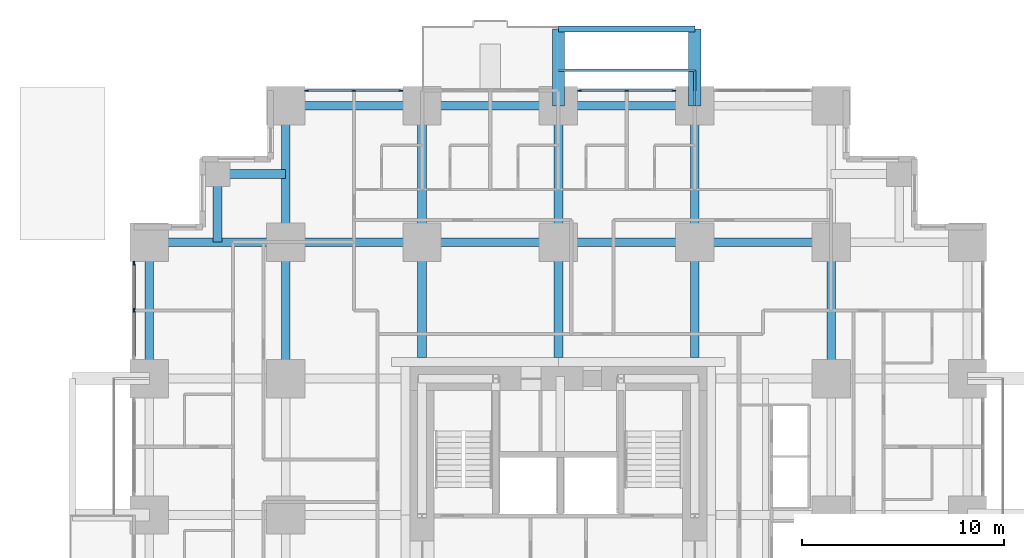
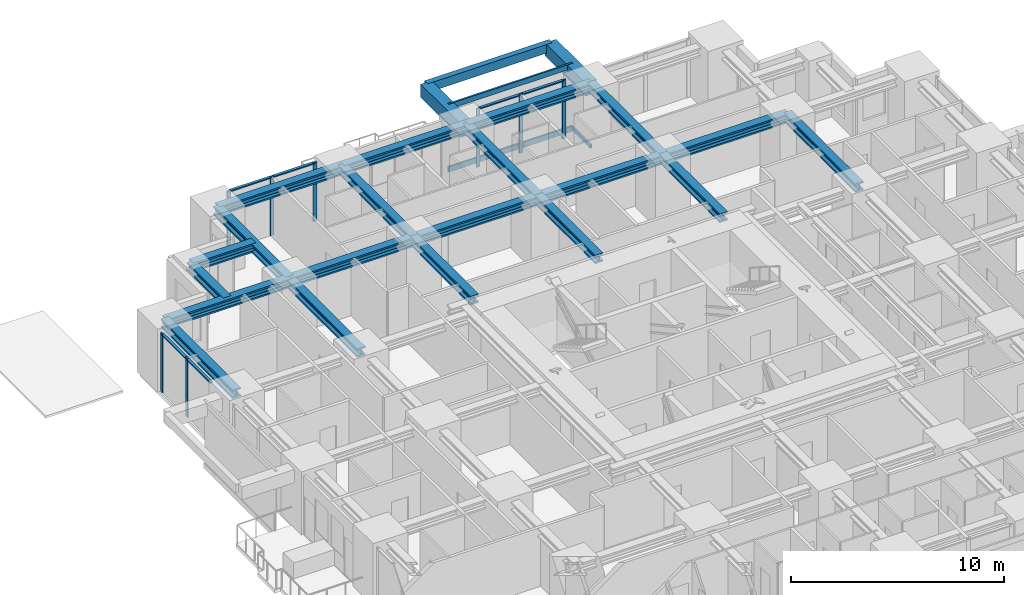
# One storey, part 5 of 14: 23 beams, 17 members, 3 elements without a shape of their own.
"""IFC4 building model written with IfcOpenShell, lengths in metres."""

from ifc_helpers import new_model, si_unit, direction, frame, origin, origin_2d, place, context, subcontext, project, spatial, rectangle, hollow_rectangle, i_section, extrude, material, material_profile, profile_set, type_object, element, aggregate, save


model = new_model("IFC4")

# Units and contexts
model_context = context("Model", 3, precision=1e-05, world=origin(), true_north=direction((0.0, 1.0)))
body_context = subcontext(model_context, "Body", "Model", "MODEL_VIEW")
ifc_project = project(units=[si_unit("LENGTHUNIT", "METRE"), si_unit("AREAUNIT", "SQUARE_METRE"), si_unit("VOLUMEUNIT", "CUBIC_METRE"), si_unit("PLANEANGLEUNIT", "RADIAN"), si_unit("MASSUNIT", "GRAM", prefix="KILO")], contexts=[model_context])

# Site, building, storey
site_placement = place(None, origin())
site = spatial("IfcSite", under=ifc_project, at=site_placement, CompositionType="ELEMENT")
building_placement = place(site_placement, origin())
building = spatial("IfcBuilding", under=site, at=building_placement, Name="Nyansa Garden Tower", CompositionType="ELEMENT")
storey_placement = place(building_placement, frame((0.0, 0.0, 18.0)))
storey = spatial("IfcBuildingStorey", under=building, at=storey_placement, Name="L04", CompositionType="ELEMENT", Elevation=18.0)

# Beams
ifc_material_1 = material(Name="Concrete C70/85", Category="concrete")
ifc_material_profile_1 = material_profile(ifc_material_1, rectangle(XDim=0.60009765625, YDim=0.75, at=origin_2d()), Name="RC 600x750")
ifc_profile_set_1 = profile_set([ifc_material_profile_1], Name="Concrete C70/85")
beam_type_1 = type_object("IfcBeamType", Name="Balcony cantilever beam CB1 RC 600x750", PredefinedType="BEAM", material=ifc_profile_set_1)
for number, where, z_axis, x_axis, name in (
    (1, (20.25, 40.5, 2.985107421875), (0.0, 1.0, 0.0), (-1.0, 0.0, 0.0), "Balcony cantilever beam L05"),
    (2, (27.0, 40.5, 2.985107421875), (0.0, 1.0, 0.0), (-1.0, 0.0, 0.0), "Balcony cantilever beam L05"),
):
    element("IfcBeam", number, at=place(storey_placement, frame(where, z_axis=z_axis, x_axis=x_axis)), inside=storey, type_object=beam_type_1, Name=name, PredefinedType="BEAM", context=body_context, shape_type="SweptSolid", body=[
        extrude(rectangle(XDim=0.60009765625, YDim=0.75, at=origin_2d()), origin(), (0.0, 0.0, 1.0), 3.800048828125),
    ])
ifc_material_2 = material(Name="Concrete C70/85", Category="concrete")
ifc_material_profile_2 = material_profile(ifc_material_2, rectangle(XDim=0.300048828125, YDim=0.5, at=origin_2d()), Name="RC 300x500")
ifc_profile_set_2 = profile_set([ifc_material_profile_2], Name="Concrete C70/85")
beam_type_2 = type_object("IfcBeamType", Name="Balcony edge beam BE1 RC 300x500", PredefinedType="BEAM", material=ifc_profile_set_2)
beam_1_placement = place(storey_placement, frame((20.25, 44.300048828125, 3.110107421875), z_axis=(1.0, 0.0, 0.0), x_axis=(0.0, 1.0, 0.0)))
element("IfcBeam", 3, at=beam_1_placement, inside=storey, type_object=beam_type_2, Name="Balcony edge beam L05", PredefinedType="BEAM", context=body_context, shape_type="SweptSolid", body=[
    extrude(rectangle(XDim=0.300048828125, YDim=0.5, at=origin_2d()), origin(), (0.0, 0.0, 1.0), 6.75),
])

# Curtain wall, members
ifc_material_3 = material(Name="Black anodised aluminium, dark tinted double glazing", Category="aluminium")
curtain_wall_type = type_object("IfcCurtainWallType", Name="Inner skin curtain wall ISW-A", PredefinedType="USERDEFINED", material=ifc_material_3)
curtain_wall_1_placement = place(storey_placement, origin())
curtain_wall_1 = element("IfcCurtainWall", 4, at=curtain_wall_1_placement, inside=storey, type_object=curtain_wall_type, Name="Inner skin curtain wall L04 N", ObjectType="UNITISED CURTAIN WALL", PredefinedType="USERDEFINED")
ifc_material_4 = material(Name="Black anodised aluminium", Category="aluminium")
ifc_material_profile_3 = material_profile(ifc_material_4, rectangle(XDim=0.06494140625, YDim=0.199951171875, at=origin_2d()), Name="Mullion 200x65")
ifc_profile_set_3 = profile_set([ifc_material_profile_3], Name="Black anodised aluminium")
member_type_1 = type_object("IfcMemberType", Name="Mullion ISW-A 200x65", PredefinedType="MULLION", material=ifc_profile_set_3)
member_1_placement = place(storey_placement, frame((12.449951171875, 41.25, 0.0), z_axis=(0.0, 0.0, 1.0), x_axis=(0.0, -1.0, 0.0)))
member_1 = element("IfcMember", 5, at=member_1_placement, type_object=member_type_1, Name="ISW-A mullion 1", PredefinedType="MULLION", context=body_context, shape_type="SweptSolid", body=[
    extrude(rectangle(XDim=0.06494140625, YDim=0.199951171875, at=origin_2d()), origin(), (0.0, 0.0, 1.0), 3.375),
])
member_2_placement = place(storey_placement, frame((10.125, 41.25, 0.0), z_axis=(0.0, 0.0, 1.0), x_axis=(0.0, -1.0, 0.0)))
member_2 = element("IfcMember", 6, at=member_2_placement, type_object=member_type_1, Name="ISW-A mullion 2", PredefinedType="MULLION", context=body_context, shape_type="SweptSolid", body=[
    extrude(rectangle(XDim=0.06494140625, YDim=0.199951171875, at=origin_2d()), origin(), (0.0, 0.0, 1.0), 3.375),
])
member_3_placement = place(storey_placement, frame((7.800048828125, 41.25, 0.0), z_axis=(0.0, 0.0, 1.0), x_axis=(0.0, -1.0, 0.0)))
member_3 = element("IfcMember", 7, at=member_3_placement, type_object=member_type_1, Name="ISW-A mullion 3", PredefinedType="MULLION", context=body_context, shape_type="SweptSolid", body=[
    extrude(rectangle(XDim=0.06494140625, YDim=0.199951171875, at=origin_2d()), origin(), (0.0, 0.0, 1.0), 3.375),
])

curtain_wall_2_placement = place(storey_placement, origin())
curtain_wall_2 = element("IfcCurtainWall", 8, at=curtain_wall_2_placement, inside=storey, type_object=curtain_wall_type, Name="Inner skin curtain wall L04 N", ObjectType="UNITISED CURTAIN WALL", PredefinedType="USERDEFINED")
member_4_placement = place(storey_placement, frame((25.949951171875, 41.25, 0.0), z_axis=(0.0, 0.0, 1.0), x_axis=(0.0, -1.0, 0.0)))
member_4 = element("IfcMember", 9, at=member_4_placement, type_object=member_type_1, Name="ISW-A mullion 1", PredefinedType="MULLION", context=body_context, shape_type="SweptSolid", body=[
    extrude(rectangle(XDim=0.06494140625, YDim=0.199951171875, at=origin_2d()), origin(), (0.0, 0.0, 1.0), 3.375),
])
member_5_placement = place(storey_placement, frame((23.625, 41.25, 0.0), z_axis=(0.0, 0.0, 1.0), x_axis=(0.0, -1.0, 0.0)))
member_5 = element("IfcMember", 10, at=member_5_placement, type_object=member_type_1, Name="ISW-A mullion 2", PredefinedType="MULLION", context=body_context, shape_type="SweptSolid", body=[
    extrude(rectangle(XDim=0.06494140625, YDim=0.199951171875, at=origin_2d()), origin(), (0.0, 0.0, 1.0), 3.375),
])
member_6_placement = place(storey_placement, frame((21.300048828125, 41.25, 0.0), z_axis=(0.0, 0.0, 1.0), x_axis=(0.0, -1.0, 0.0)))
member_6 = element("IfcMember", 11, at=member_6_placement, type_object=member_type_1, Name="ISW-A mullion 3", PredefinedType="MULLION", context=body_context, shape_type="SweptSolid", body=[
    extrude(rectangle(XDim=0.06494140625, YDim=0.199951171875, at=origin_2d()), origin(), (0.0, 0.0, 1.0), 3.375),
])

curtain_wall_3_placement = place(storey_placement, origin())
curtain_wall_3 = element("IfcCurtainWall", 12, at=curtain_wall_3_placement, inside=storey, type_object=curtain_wall_type, Name="Inner skin curtain wall L04 W", ObjectType="UNITISED CURTAIN WALL", PredefinedType="USERDEFINED")
member_7_placement = place(storey_placement, frame((-0.75, 32.699951171875, 0.0), z_axis=(0.0, 0.0, 1.0), x_axis=(1.0, 0.0, 0.0)))
member_7 = element("IfcMember", 13, at=member_7_placement, type_object=member_type_1, Name="ISW-A mullion 1", PredefinedType="MULLION", context=body_context, shape_type="SweptSolid", body=[
    extrude(rectangle(XDim=0.06494140625, YDim=0.199951171875, at=origin_2d()), origin(), (0.0, 0.0, 1.0), 3.375),
])
member_8_placement = place(storey_placement, frame((-0.75, 30.375, 0.0), z_axis=(0.0, 0.0, 1.0), x_axis=(1.0, 0.0, 0.0)))
member_8 = element("IfcMember", 14, at=member_8_placement, type_object=member_type_1, Name="ISW-A mullion 2", PredefinedType="MULLION", context=body_context, shape_type="SweptSolid", body=[
    extrude(rectangle(XDim=0.06494140625, YDim=0.199951171875, at=origin_2d()), origin(), (0.0, 0.0, 1.0), 3.375),
])

# Members
ifc_material_5 = material(Name="Steel S355, black powder coated", Category="steel")
ifc_material_profile_4 = material_profile(ifc_material_5, hollow_rectangle(XDim=0.10009765625, YDim=0.199951171875, WallThickness=0.008056640625, at=origin_2d()), Name="RHS 200x100x8")
ifc_profile_set_4 = profile_set([ifc_material_profile_4], Name="Steel S355, black powder coated")
member_type_2 = type_object("IfcMemberType", Name="Outer skin bracket arm RHS 200x100x8", PredefinedType="USERDEFINED", material=ifc_profile_set_4)
member_9_placement = place(storey_placement, frame((27.0, 40.5, -0.375), z_axis=(0.0, 1.0, 0.0), x_axis=(-1.0, 0.0, 0.0)))
element("IfcMember", 15, at=member_9_placement, inside=storey, type_object=member_type_2, Name="Outer skin bracket arm", ObjectType="OUTER SKIN BRACKET", PredefinedType="USERDEFINED", context=body_context, shape_type="SweptSolid", body=[
    extrude(hollow_rectangle(XDim=0.10009765625, YDim=0.199951171875, WallThickness=0.008056640625, at=origin_2d()), origin(), (0.0, 0.0, 1.0), 1.75),
])
ifc_material_6 = material(Name="Steel S355, black powder coated", Category="steel")
ifc_material_profile_5 = material_profile(ifc_material_6, hollow_rectangle(XDim=0.10009765625, YDim=0.300048828125, WallThickness=0.010009765625, at=origin_2d()), Name="RHS 300x100x10")
ifc_profile_set_5 = profile_set([ifc_material_profile_5], Name="Steel S355, black powder coated")
member_type_3 = type_object("IfcMemberType", Name="Outer skin rail RHS 300x100x10", PredefinedType="USERDEFINED", material=ifc_profile_set_5)
for number, where, z_axis, x_axis, name in (
    (16, (20.25, 42.25, -0.375), (1.0, 0.0, 0.0), (0.0, 1.0, 0.0), "Outer skin rail L04"),
    (17, (20.25, 42.25, 3.22509765625), (1.0, 0.0, 0.0), (0.0, 1.0, 0.0), "Outer skin rail L04 head"),
):
    element("IfcMember", number, at=place(storey_placement, frame(where, z_axis=z_axis, x_axis=x_axis)), inside=storey, type_object=member_type_3, Name=name, ObjectType="OUTER SKIN RAIL", PredefinedType="USERDEFINED", context=body_context, shape_type="SweptSolid", body=[
        extrude(hollow_rectangle(XDim=0.10009765625, YDim=0.300048828125, WallThickness=0.010009765625, at=origin_2d()), origin(), (0.0, 0.0, 1.0), 6.75),
    ])

# Beams
ifc_material_7 = material(Name="Steel S355", Category="steel")
ifc_material_profile_6 = material_profile(ifc_material_7, i_section(OverallWidth=0.431884765625, OverallDepth=0.498046875, WebThickness=0.0556640625, FlangeThickness=0.0888671875, FilletRadius=0.014892578125, at=origin_2d()), Name="HD 400x744")
ifc_profile_set_6 = profile_set([ifc_material_profile_6], Name="Steel S355")
beam_type_3 = type_object("IfcBeamType", Name="Steel beam SBA1-744 HD 400x744", PredefinedType="BEAM", material=ifc_profile_set_6)
for number, where, z_axis, x_axis, name in (
    (18, (0.0, 33.75, 3.1259765625), (1.0, 0.0, 0.0), (0.0, 1.0, 0.0), "Steel beam 2/J-3/J L05"),
    (19, (6.75, 27.0, 3.1259765625), (0.0, 1.0, 0.0), (-1.0, 0.0, 0.0), "Steel beam 3/H-3/J L05"),
    (20, (6.75, 33.75, 3.1259765625), (0.0, 1.0, 0.0), (-1.0, 0.0, 0.0), "Steel beam 3/J-3/K L05"),
    (21, (6.75, 33.75, 3.1259765625), (1.0, 0.0, 0.0), (0.0, 1.0, 0.0), "Steel beam 3/J-4/J L05"),
):
    element("IfcBeam", number, at=place(storey_placement, frame(where, z_axis=z_axis, x_axis=x_axis)), inside=storey, type_object=beam_type_3, Name=name, PredefinedType="BEAM", context=body_context, shape_type="SweptSolid", body=[
        extrude(i_section(OverallWidth=0.431884765625, OverallDepth=0.498046875, WebThickness=0.0556640625, FlangeThickness=0.0888671875, FilletRadius=0.014892578125, at=origin_2d()), origin(), (0.0, 0.0, 1.0), 6.75),
    ])
beam_2_placement = place(storey_placement, frame((13.5, 28.050048828125, 3.1259765625), z_axis=(0.0, 1.0, 0.0), x_axis=(-1.0, 0.0, 0.0)))
element("IfcBeam", 22, at=beam_2_placement, inside=storey, type_object=beam_type_3, Name="Steel beam 4/28.050-4/J L05", PredefinedType="BEAM", context=body_context, shape_type="SweptSolid", body=[
    extrude(i_section(OverallWidth=0.431884765625, OverallDepth=0.498046875, WebThickness=0.0556640625, FlangeThickness=0.0888671875, FilletRadius=0.014892578125, at=origin_2d()), origin(), (0.0, 0.0, 1.0), 5.699951171875),
])
for number, where, z_axis, x_axis, name in (
    (23, (13.5, 33.75, 3.1259765625), (0.0, 1.0, 0.0), (-1.0, 0.0, 0.0), "Steel beam 4/J-4/K L05"),
    (24, (13.5, 33.75, 3.1259765625), (1.0, 0.0, 0.0), (0.0, 1.0, 0.0), "Steel beam 4/J-5/J L05"),
):
    element("IfcBeam", number, at=place(storey_placement, frame(where, z_axis=z_axis, x_axis=x_axis)), inside=storey, type_object=beam_type_3, Name=name, PredefinedType="BEAM", context=body_context, shape_type="SweptSolid", body=[
        extrude(i_section(OverallWidth=0.431884765625, OverallDepth=0.498046875, WebThickness=0.0556640625, FlangeThickness=0.0888671875, FilletRadius=0.014892578125, at=origin_2d()), origin(), (0.0, 0.0, 1.0), 6.75),
    ])
beam_3_placement = place(storey_placement, frame((20.25, 28.050048828125, 3.1259765625), z_axis=(0.0, 1.0, 0.0), x_axis=(-1.0, 0.0, 0.0)))
element("IfcBeam", 25, at=beam_3_placement, inside=storey, type_object=beam_type_3, Name="Steel beam 5/28.050-5/J L05", PredefinedType="BEAM", context=body_context, shape_type="SweptSolid", body=[
    extrude(i_section(OverallWidth=0.431884765625, OverallDepth=0.498046875, WebThickness=0.0556640625, FlangeThickness=0.0888671875, FilletRadius=0.014892578125, at=origin_2d()), origin(), (0.0, 0.0, 1.0), 5.699951171875),
])
for number, where, z_axis, x_axis, name in (
    (26, (20.25, 33.75, 3.1259765625), (0.0, 1.0, 0.0), (-1.0, 0.0, 0.0), "Steel beam 5/J-5/K L05"),
    (27, (20.25, 33.75, 3.1259765625), (1.0, 0.0, 0.0), (0.0, 1.0, 0.0), "Steel beam 5/J-6/J L05"),
):
    element("IfcBeam", number, at=place(storey_placement, frame(where, z_axis=z_axis, x_axis=x_axis)), inside=storey, type_object=beam_type_3, Name=name, PredefinedType="BEAM", context=body_context, shape_type="SweptSolid", body=[
        extrude(i_section(OverallWidth=0.431884765625, OverallDepth=0.498046875, WebThickness=0.0556640625, FlangeThickness=0.0888671875, FilletRadius=0.014892578125, at=origin_2d()), origin(), (0.0, 0.0, 1.0), 6.75),
    ])
beam_4_placement = place(storey_placement, frame((27.0, 28.050048828125, 3.1259765625), z_axis=(0.0, 1.0, 0.0), x_axis=(-1.0, 0.0, 0.0)))
element("IfcBeam", 28, at=beam_4_placement, inside=storey, type_object=beam_type_3, Name="Steel beam 6/28.050-6/J L05", PredefinedType="BEAM", context=body_context, shape_type="SweptSolid", body=[
    extrude(i_section(OverallWidth=0.431884765625, OverallDepth=0.498046875, WebThickness=0.0556640625, FlangeThickness=0.0888671875, FilletRadius=0.014892578125, at=origin_2d()), origin(), (0.0, 0.0, 1.0), 5.699951171875),
])
for number, where, z_axis, x_axis, name in (
    (29, (27.0, 33.75, 3.1259765625), (0.0, 1.0, 0.0), (-1.0, 0.0, 0.0), "Steel beam 6/J-6/K L05"),
    (30, (27.0, 33.75, 3.1259765625), (1.0, 0.0, 0.0), (0.0, 1.0, 0.0), "Steel beam 6/J-7/J L05"),
    (31, (33.75, 27.0, 3.1259765625), (0.0, 1.0, 0.0), (-1.0, 0.0, 0.0), "Steel beam 7/H-7/J L05"),
):
    element("IfcBeam", number, at=place(storey_placement, frame(where, z_axis=z_axis, x_axis=x_axis)), inside=storey, type_object=beam_type_3, Name=name, PredefinedType="BEAM", context=body_context, shape_type="SweptSolid", body=[
        extrude(i_section(OverallWidth=0.431884765625, OverallDepth=0.498046875, WebThickness=0.0556640625, FlangeThickness=0.0888671875, FilletRadius=0.014892578125, at=origin_2d()), origin(), (0.0, 0.0, 1.0), 6.75),
    ])
ifc_material_8 = material(Name="Steel S355", Category="steel")
ifc_material_profile_7 = material_profile(ifc_material_8, i_section(OverallWidth=0.431884765625, OverallDepth=0.498046875, WebThickness=0.0556640625, FlangeThickness=0.0888671875, FilletRadius=0.014892578125, at=origin_2d()), Name="HD 400x744")
ifc_profile_set_7 = profile_set([ifc_material_profile_7], Name="Steel S355")
beam_type_4 = type_object("IfcBeamType", Name="Steel beam SEBA-744 HD 400x744", PredefinedType="BEAM", material=ifc_profile_set_7)
for number, where, z_axis, x_axis, name in (
    (32, (0.0, 27.0, 3.1259765625), (0.0, 1.0, 0.0), (-1.0, 0.0, 0.0), "Steel edge beam 2/H-2/J L05"),
    (33, (6.75, 40.5, 3.1259765625), (1.0, 0.0, 0.0), (0.0, 1.0, 0.0), "Steel edge beam 3/K-4/K L05"),
    (34, (13.5, 40.5, 3.1259765625), (1.0, 0.0, 0.0), (0.0, 1.0, 0.0), "Steel edge beam 4/K-5/K L05"),
    (35, (20.25, 40.5, 3.1259765625), (1.0, 0.0, 0.0), (0.0, 1.0, 0.0), "Steel edge beam 5/K-6/K L05"),
):
    element("IfcBeam", number, at=place(storey_placement, frame(where, z_axis=z_axis, x_axis=x_axis)), inside=storey, type_object=beam_type_4, Name=name, PredefinedType="BEAM", context=body_context, shape_type="SweptSolid", body=[
        extrude(i_section(OverallWidth=0.431884765625, OverallDepth=0.498046875, WebThickness=0.0556640625, FlangeThickness=0.0888671875, FilletRadius=0.014892578125, at=origin_2d()), origin(), (0.0, 0.0, 1.0), 6.75),
    ])
ifc_material_9 = material(Name="Steel S355", Category="steel")
ifc_material_profile_8 = material_profile(ifc_material_9, i_section(OverallWidth=0.431884765625, OverallDepth=0.498046875, WebThickness=0.0556640625, FlangeThickness=0.0888671875, FilletRadius=0.014892578125, at=origin_2d()), Name="HD 400x744")
ifc_profile_set_8 = profile_set([ifc_material_profile_8], Name="Steel S355")
beam_type_5 = type_object("IfcBeamType", Name="Steel beam SSB1-744 HD 400x744", PredefinedType="BEAM", material=ifc_profile_set_8)
for number, where, z_axis, x_axis, name in (
    (36, (3.375, 37.125, 3.1259765625), (0.0, -1.0, 0.0), (1.0, 0.0, 0.0), "Steel step beam 3.375/37.125 L05"),
    (37, (3.375, 37.125, 3.1259765625), (1.0, 0.0, 0.0), (0.0, 1.0, 0.0), "Steel step beam 3.375/37.125 L05"),
):
    element("IfcBeam", number, at=place(storey_placement, frame(where, z_axis=z_axis, x_axis=x_axis)), inside=storey, type_object=beam_type_5, Name=name, PredefinedType="BEAM", context=body_context, shape_type="SweptSolid", body=[
        extrude(i_section(OverallWidth=0.431884765625, OverallDepth=0.498046875, WebThickness=0.0556640625, FlangeThickness=0.0888671875, FilletRadius=0.014892578125, at=origin_2d()), origin(), (0.0, 0.0, 1.0), 3.375),
    ])

# Member
ifc_material_10 = material(Name="Black anodised aluminium", Category="aluminium")
ifc_material_profile_9 = material_profile(ifc_material_10, rectangle(XDim=0.14990234375, YDim=0.06494140625, at=origin_2d()), Name="Transom 150x65")
ifc_profile_set_9 = profile_set([ifc_material_profile_9], Name="Black anodised aluminium")
member_type_4 = type_object("IfcMemberType", Name="Transom ISW-A 150x65", PredefinedType="USERDEFINED", material=ifc_profile_set_9)
member_10_placement = place(storey_placement, frame((12.41748046875, 41.25, 3.342529296875), z_axis=(-1.0, 0.0, 0.0), x_axis=(0.0, -1.0, 0.0)))
member_10 = element("IfcMember", 38, at=member_10_placement, type_object=member_type_4, Name="ISW-A transom 1", ObjectType="TRANSOM", PredefinedType="USERDEFINED", context=body_context, shape_type="SweptSolid", body=[
    extrude(rectangle(XDim=0.14990234375, YDim=0.06494140625, at=origin_2d()), origin(), (0.0, 0.0, 1.0), 2.260009765625),
])

member_11_placement = place(storey_placement, frame((10.092529296875, 41.25, 3.342529296875), z_axis=(-1.0, 0.0, 0.0), x_axis=(0.0, -1.0, 0.0)))
member_11 = element("IfcMember", 39, at=member_11_placement, type_object=member_type_4, Name="ISW-A transom 2", ObjectType="TRANSOM", PredefinedType="USERDEFINED", context=body_context, shape_type="SweptSolid", body=[
    extrude(rectangle(XDim=0.14990234375, YDim=0.06494140625, at=origin_2d()), origin(), (0.0, 0.0, 1.0), 2.260009765625),
])

aggregate(curtain_wall_1, [member_1, member_2, member_3, member_10, member_11])

member_12_placement = place(storey_placement, frame((25.91748046875, 41.25, 3.342529296875), z_axis=(-1.0, 0.0, 0.0), x_axis=(0.0, -1.0, 0.0)))
member_12 = element("IfcMember", 40, at=member_12_placement, type_object=member_type_4, Name="ISW-A transom 1", ObjectType="TRANSOM", PredefinedType="USERDEFINED", context=body_context, shape_type="SweptSolid", body=[
    extrude(rectangle(XDim=0.14990234375, YDim=0.06494140625, at=origin_2d()), origin(), (0.0, 0.0, 1.0), 2.260009765625),
])

member_13_placement = place(storey_placement, frame((23.592529296875, 41.25, 3.342529296875), z_axis=(-1.0, 0.0, 0.0), x_axis=(0.0, -1.0, 0.0)))
member_13 = element("IfcMember", 41, at=member_13_placement, type_object=member_type_4, Name="ISW-A transom 2", ObjectType="TRANSOM", PredefinedType="USERDEFINED", context=body_context, shape_type="SweptSolid", body=[
    extrude(rectangle(XDim=0.14990234375, YDim=0.06494140625, at=origin_2d()), origin(), (0.0, 0.0, 1.0), 2.260009765625),
])

aggregate(curtain_wall_2, [member_4, member_5, member_6, member_12, member_13])

member_14_placement = place(storey_placement, frame((-0.75, 32.66748046875, 3.342529296875), z_axis=(0.0, -1.0, 0.0), x_axis=(1.0, 0.0, 0.0)))
member_14 = element("IfcMember", 42, at=member_14_placement, type_object=member_type_4, Name="ISW-A transom 1", ObjectType="TRANSOM", PredefinedType="USERDEFINED", context=body_context, shape_type="SweptSolid", body=[
    extrude(rectangle(XDim=0.14990234375, YDim=0.06494140625, at=origin_2d()), origin(), (0.0, 0.0, 1.0), 2.260009765625),
])

member_15_placement = place(storey_placement, frame((-0.75, 30.342529296875, 3.342529296875), z_axis=(0.0, -1.0, 0.0), x_axis=(1.0, 0.0, 0.0)))
member_15 = element("IfcMember", 43, at=member_15_placement, type_object=member_type_4, Name="ISW-A transom 2", ObjectType="TRANSOM", PredefinedType="USERDEFINED", context=body_context, shape_type="SweptSolid", body=[
    extrude(rectangle(XDim=0.14990234375, YDim=0.06494140625, at=origin_2d()), origin(), (0.0, 0.0, 1.0), 2.260009765625),
])

aggregate(curtain_wall_3, [member_7, member_8, member_14, member_15])

save(model, "model.ifc")
